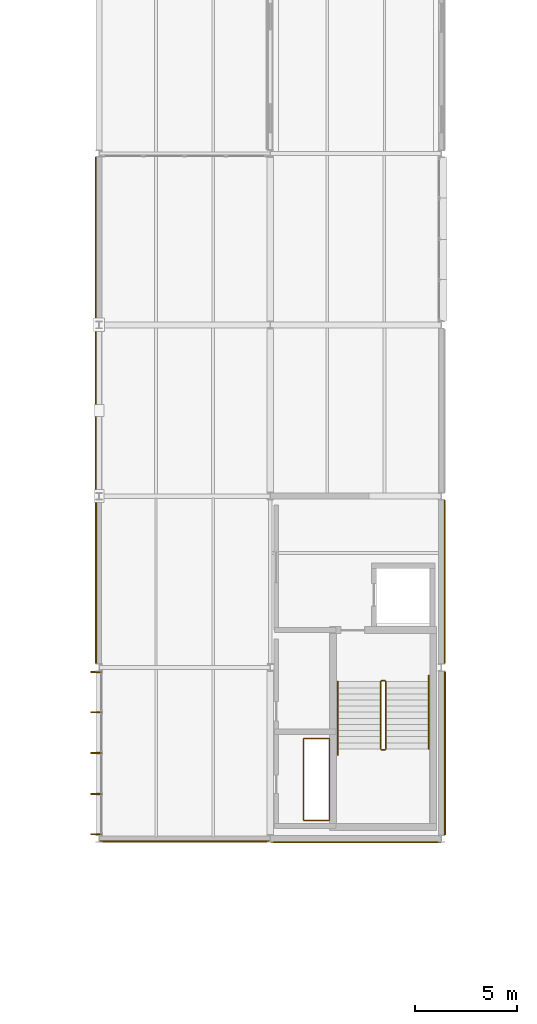
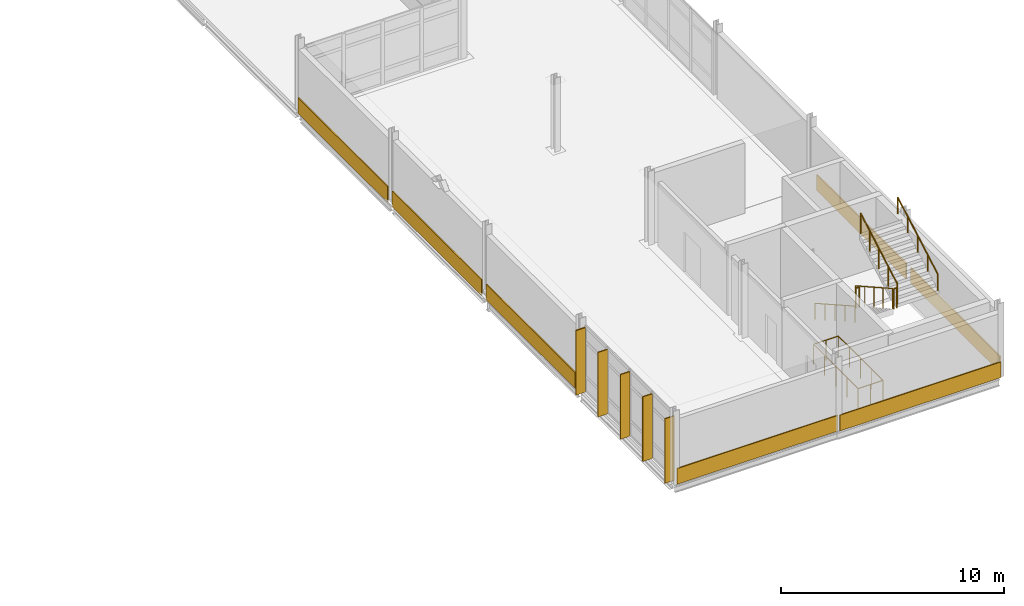
# One storey, part 99 of 103: 7 coverings, 7 railings, 5 shading devices.
"""IFC4 building model written with IfcOpenShell, lengths in metres."""

from ifc_helpers import new_model, si_unit, direction, frame, origin, origin_2d, place, context, subcontext, project, spatial, rectangle, circle, extrude, material, layer, layer_set, type_object, element, save


model = new_model("IFC4")

# Units and contexts
model_context = context("Model", 3, precision=1e-05, world=origin(), true_north=direction((0.0, 1.0)))
body_context = subcontext(model_context, "Body", "Model", "MODEL_VIEW")
ifc_project = project(units=[si_unit("LENGTHUNIT", "METRE"), si_unit("AREAUNIT", "SQUARE_METRE"), si_unit("VOLUMEUNIT", "CUBIC_METRE"), si_unit("PLANEANGLEUNIT", "RADIAN"), si_unit("MASSUNIT", "GRAM", prefix="KILO")], contexts=[model_context])

# Site, building, storey
site_placement = place(None, origin())
site = spatial("IfcSite", under=ifc_project, at=site_placement, CompositionType="ELEMENT")
building_placement = place(site_placement, origin())
building = spatial("IfcBuilding", under=site, at=building_placement, Name="Mersafa Astral City Hall", CompositionType="ELEMENT")
storey_placement = place(building_placement, frame((0.0, 0.0, 18.0)))
storey = spatial("IfcBuildingStorey", under=building, at=storey_placement, Name="L04", CompositionType="ELEMENT", Elevation=18.0)

# Coverings
ifc_material_1 = material(Name="Cairo Mokattam buff limestone cladding", Category="masonry")
ifc_layer = layer(ifc_material_1, 0.06005859375, Name="Cairo Mokattam buff limestone cladding")
ifc_layer_set = layer_set([ifc_layer], Name="Cairo Mokattam buff limestone cladding — ENV-COV-LIMESTONE-60")
covering_type = type_object("IfcCoveringType", Name="ENV-COV-LIMESTONE-60", PredefinedType="CLADDING", material=ifc_layer_set)
covering_placement = place(storey_placement, frame((159.43798828125, 79.81494140625, 0.0), z_axis=(0.0, 0.0, 1.0), x_axis=(0.0, -1.0, 0.0)))
element("IfcCovering", 1, at=covering_placement, inside=storey, type_object=covering_type, Name="L04 Cairo buff limestone rainscreen cladding 269", PredefinedType="CLADDING", context=body_context, shape_type="SweptSolid", body=[
    extrude(rectangle(XDim=8.01806640625, YDim=0.06005859375, at=origin_2d()), origin(), (0.0, 0.0, 1.0), 0.860107421875),
])
for number, where, z_axis, x_axis, name in (
    (2, (159.445556640625, 71.39501953125, 0.0), (0.0, 0.0, 1.0), (0.0, -1.0, 0.0), "L04 Cairo buff limestone rainscreen cladding 270"),
    (3, (159.452880859375, 63.0048828125, 0.0), (0.0, 0.0, 1.0), (0.0, -1.0, 0.0), "L04 Cairo buff limestone rainscreen cladding 271"),
):
    element("IfcCovering", number, at=place(storey_placement, frame(where, z_axis=z_axis, x_axis=x_axis)), inside=storey, type_object=covering_type, Name=name, PredefinedType="CLADDING", context=body_context, shape_type="SweptSolid", body=[
        extrude(rectangle(XDim=7.998046875, YDim=0.06005859375, at=origin_2d()), origin(), (0.0, 0.0, 1.0), 0.860107421875),
    ])
for number, where, z_axis, x_axis, name in (
    (4, (163.800048828125, 50.260498046875, 0.0), (0.0, 0.0, 1.0), (1.0, 0.0, 0.0), "L04 Cairo buff limestone rainscreen cladding 272"),
    (5, (172.199951171875, 50.222900390625, 0.0), (0.0, 0.0, 1.0), (1.0, 0.0, 0.0), "L04 Cairo buff limestone rainscreen cladding 273"),
):
    element("IfcCovering", number, at=place(storey_placement, frame(where, z_axis=z_axis, x_axis=x_axis)), inside=storey, type_object=covering_type, Name=name, PredefinedType="CLADDING", context=body_context, shape_type="SweptSolid", body=[
        extrude(rectangle(XDim=8.323974609375, YDim=0.06005859375, at=origin_2d()), origin(), (0.0, 0.0, 1.0), 0.860107421875),
    ])
for number, where, z_axis, x_axis, name in (
    (6, (176.569580078125, 54.594970703125, 0.0), (0.0, 0.0, 1.0), (0.0, 1.0, 0.0), "L04 Cairo buff limestone rainscreen cladding 274"),
    (7, (176.56201171875, 63.0048828125, 0.0), (0.0, 0.0, 1.0), (0.0, 1.0, 0.0), "L04 Cairo buff limestone rainscreen cladding 275"),
):
    element("IfcCovering", number, at=place(storey_placement, frame(where, z_axis=z_axis, x_axis=x_axis)), inside=storey, type_object=covering_type, Name=name, PredefinedType="CLADDING", context=body_context, shape_type="SweptSolid", body=[
        extrude(rectangle(XDim=7.998046875, YDim=0.06005859375, at=origin_2d()), origin(), (0.0, 0.0, 1.0), 0.860107421875),
    ])

# Shading devices
ifc_material_2 = material(Name="Anodised bronze aluminium solar fin", Category="aluminium")
shading_device_type = type_object("IfcShadingDeviceType", Name="ENV-SHD-FIN-500A", PredefinedType="USERDEFINED", material=ifc_material_2)
for number, where, z_axis, x_axis, name in (
    (8, (159.455078125, 58.577880859375, -0.01513671875), (0.0, 0.0, 1.0), (0.0, -1.0, 0.0), "L04 Vertical bronze solar fin 1210"),
    (9, (159.455078125, 56.6015625, -0.01513671875), (0.0, 0.0, 1.0), (0.0, -1.0, 0.0), "L04 Vertical bronze solar fin 1211"),
    (10, (159.455078125, 54.594970703125, -0.01513671875), (0.0, 0.0, 1.0), (0.0, -1.0, 0.0), "L04 Vertical bronze solar fin 1212"),
    (11, (159.455078125, 52.58837890625, -0.01513671875), (0.0, 0.0, 1.0), (0.0, -1.0, 0.0), "L04 Vertical bronze solar fin 1213"),
    (12, (159.455078125, 50.612060546875, -0.01513671875), (0.0, 0.0, 1.0), (0.0, -1.0, 0.0), "L04 Vertical bronze solar fin 1214"),
):
    element("IfcShadingDevice", number, at=place(storey_placement, frame(where, z_axis=z_axis, x_axis=x_axis)), inside=storey, type_object=shading_device_type, Name=name, ObjectType="FIN", PredefinedType="USERDEFINED", context=body_context, shape_type="SweptSolid", body=[
        extrude(rectangle(XDim=0.06005859375, YDim=0.5, at=origin_2d()), origin(), (0.0, 0.0, 1.0), 3.531982421875),
    ])

# Railings
ifc_material_3 = material(Name="Painted architectural steel stair guard balustrade", Category="steel")
railing_type_1 = type_object("IfcRailingType", Name="GUARD-RAIL", PredefinedType="BALUSTRADE", material=ifc_material_3)
railing_1_placement = place(storey_placement, frame((173.409912109375, 58.10009765625, 0.168701171875)))
element("IfcRailing", 13, at=railing_1_placement, inside=storey, type_object=railing_type_1, Name="L04 ST4 stair guard 1", PredefinedType="BALUSTRADE", context=body_context, shape_type="SweptSolid", body=[
    extrude(circle(Radius=0.02392578125, at=origin_2d()), frame((0.0, 0.0, 1.09619140625), z_axis=(0.0, -0.871584147158, 0.490245932592), x_axis=(1.0, 0.0, 0.0)), (0.0, 0.0, 1.0), 3.786376953125),
    extrude(circle(Radius=0.02099609375, at=origin_2d()), origin(), (0.0, 0.0, 1.0), 1.072021484375),
    extrude(circle(Radius=0.02099609375, at=origin_2d()), frame((0.0, -0.824951171875, 0.464111328125)), (0.0, 0.0, 1.0), 1.072021484375),
    extrude(circle(Radius=0.02099609375, at=origin_2d()), frame((0.0, -1.64990234375, 0.92822265625)), (0.0, 0.0, 1.0), 1.072021484375),
    extrude(circle(Radius=0.02099609375, at=origin_2d()), frame((0.0, -2.47509765625, 1.39208984375)), (0.0, 0.0, 1.0), 1.072021484375),
    extrude(circle(Radius=0.02099609375, at=origin_2d()), frame((0.0, -3.300048828125, 1.856201171875)), (0.0, 0.0, 1.0), 1.072021484375),
])
railing_2_placement = place(storey_placement, frame((173.4599609375, 54.75, 2.02490234375)))
element("IfcRailing", 14, at=railing_2_placement, inside=storey, type_object=railing_type_1, Name="L04 ST4 stair guard 2", PredefinedType="BALUSTRADE", context=body_context, shape_type="SweptSolid", body=[
    extrude(circle(Radius=0.02392578125, at=origin_2d()), frame((0.0, 0.0, 1.09619140625), z_axis=(1.0, 0.0, 0.0), x_axis=(0.0, 1.0, 0.0)), (0.0, 0.0, 1.0), 0.16015625),
    extrude(circle(Radius=0.02099609375, at=origin_2d()), origin(), (0.0, 0.0, 1.0), 1.072021484375),
    extrude(circle(Radius=0.02099609375, at=origin_2d()), frame((0.16015625, 0.0, 0.0)), (0.0, 0.0, 1.0), 1.072021484375),
])
railing_3_placement = place(storey_placement, frame((173.669921875, 54.800048828125, 2.19384765625)))
element("IfcRailing", 15, at=railing_3_placement, inside=storey, type_object=railing_type_1, Name="L04 ST4 stair guard 3", PredefinedType="BALUSTRADE", context=body_context, shape_type="SweptSolid", body=[
    extrude(circle(Radius=0.02392578125, at=origin_2d()), frame((0.0, 0.0, 1.09619140625), z_axis=(0.0, 0.871584147158, 0.490245932592), x_axis=(-1.0, 0.0, 0.0)), (0.0, 0.0, 1.0), 3.786376953125),
    extrude(circle(Radius=0.02099609375, at=origin_2d()), origin(), (0.0, 0.0, 1.0), 1.072021484375),
    extrude(circle(Radius=0.02099609375, at=origin_2d()), frame((0.0, 0.824951171875, 0.464111328125)), (0.0, 0.0, 1.0), 1.072021484375),
    extrude(circle(Radius=0.02099609375, at=origin_2d()), frame((0.0, 1.64990234375, 0.92822265625)), (0.0, 0.0, 1.0), 1.072021484375),
    extrude(circle(Radius=0.02099609375, at=origin_2d()), frame((0.0, 2.47509765625, 1.39208984375)), (0.0, 0.0, 1.0), 1.072021484375),
    extrude(circle(Radius=0.02099609375, at=origin_2d()), frame((0.0, 3.300048828125, 1.856201171875)), (0.0, 0.0, 1.0), 1.072021484375),
])
railing_4_placement = place(storey_placement, frame((173.4599609375, 58.14990234375, 0.0)))
element("IfcRailing", 16, at=railing_4_placement, inside=storey, type_object=railing_type_1, Name="L04 ST4 stair guard 4", PredefinedType="BALUSTRADE", context=body_context, shape_type="SweptSolid", body=[
    extrude(circle(Radius=0.02392578125, at=origin_2d()), frame((0.0, 0.0, 1.09619140625), z_axis=(1.0, 0.0, 0.0), x_axis=(0.0, 1.0, 0.0)), (0.0, 0.0, 1.0), 0.16015625),
    extrude(circle(Radius=0.02099609375, at=origin_2d()), origin(), (0.0, 0.0, 1.0), 1.072021484375),
    extrude(circle(Radius=0.02099609375, at=origin_2d()), frame((0.16015625, 0.0, 0.0)), (0.0, 0.0, 1.0), 1.072021484375),
])
railing_5_placement = place(storey_placement, frame((169.6201171875, 51.300048828125, 0.0)))
element("IfcRailing", 17, at=railing_5_placement, inside=storey, type_object=railing_type_1, Name="L04 K4 MEP Riser Shaft Guard", PredefinedType="BALUSTRADE", context=body_context, shape_type="SweptSolid", body=[
    extrude(circle(Radius=0.02392578125, at=origin_2d()), frame((0.0, 0.0, 1.09619140625), z_axis=(1.0, 0.0, 0.0), x_axis=(0.0, 1.0, 0.0)), (0.0, 0.0, 1.0), 1.27978515625),
    extrude(circle(Radius=0.02392578125, at=origin_2d()), frame((1.27978515625, 0.0, 1.09619140625), z_axis=(0.0, 1.0, 0.0), x_axis=(-1.0, 0.0, 0.0)), (0.0, 0.0, 1.0), 4.0),
    extrude(circle(Radius=0.02392578125, at=origin_2d()), frame((1.27978515625, 4.0, 1.09619140625), z_axis=(-1.0, 0.0, 0.0), x_axis=(0.0, -1.0, 0.0)), (0.0, 0.0, 1.0), 1.27978515625),
    extrude(circle(Radius=0.02392578125, at=origin_2d()), frame((0.0, 4.0, 1.09619140625), z_axis=(0.0, -1.0, 0.0), x_axis=(1.0, 0.0, 0.0)), (0.0, 0.0, 1.0), 4.0),
    extrude(circle(Radius=0.02099609375, at=origin_2d()), origin(), (0.0, 0.0, 1.0), 1.072021484375),
    extrude(circle(Radius=0.02099609375, at=origin_2d()), frame((0.639892578125, 0.0, 0.0)), (0.0, 0.0, 1.0), 1.072021484375),
    extrude(circle(Radius=0.02099609375, at=origin_2d()), frame((1.27978515625, 0.0, 0.0)), (0.0, 0.0, 1.0), 1.072021484375),
    extrude(circle(Radius=0.02099609375, at=origin_2d()), frame((1.27978515625, 1.0, 0.0)), (0.0, 0.0, 1.0), 1.072021484375),
    extrude(circle(Radius=0.02099609375, at=origin_2d()), frame((1.27978515625, 2.0, 0.0)), (0.0, 0.0, 1.0), 1.072021484375),
    extrude(circle(Radius=0.02099609375, at=origin_2d()), frame((1.27978515625, 3.0, 0.0)), (0.0, 0.0, 1.0), 1.072021484375),
    extrude(circle(Radius=0.02099609375, at=origin_2d()), frame((1.27978515625, 4.0, 0.0)), (0.0, 0.0, 1.0), 1.072021484375),
    extrude(circle(Radius=0.02099609375, at=origin_2d()), frame((0.639892578125, 4.0, 0.0)), (0.0, 0.0, 1.0), 1.072021484375),
    extrude(circle(Radius=0.02099609375, at=origin_2d()), frame((0.0, 4.0, 0.0)), (0.0, 0.0, 1.0), 1.072021484375),
    extrude(circle(Radius=0.02099609375, at=origin_2d()), frame((0.0, 3.0, 0.0)), (0.0, 0.0, 1.0), 1.072021484375),
    extrude(circle(Radius=0.02099609375, at=origin_2d()), frame((0.0, 2.0, 0.0)), (0.0, 0.0, 1.0), 1.072021484375),
    extrude(circle(Radius=0.02099609375, at=origin_2d()), frame((0.0, 1.0, 0.0)), (0.0, 0.0, 1.0), 1.072021484375),
])
ifc_material_4 = material(Name="Brushed stainless steel tubular handrail", Category="steel")
railing_type_2 = type_object("IfcRailingType", Name="HANDRAIL", PredefinedType="HANDRAIL", material=ifc_material_4)
railing_6_placement = place(storey_placement, frame((171.31005859375, 58.10009765625, 0.168701171875)))
element("IfcRailing", 18, at=railing_6_placement, inside=storey, type_object=railing_type_2, Name="L04 ST4 stair handrail 1", PredefinedType="HANDRAIL", context=body_context, shape_type="SweptSolid", body=[
    extrude(circle(Radius=0.02392578125, at=origin_2d()), frame((0.0, 0.0, 0.8759765625), z_axis=(0.0, -0.871262930089, 0.49081657129), x_axis=(1.0, 0.0, 0.0)), (0.0, 0.0, 1.0), 4.132080078125),
    extrude(circle(Radius=0.02099609375, at=origin_2d()), origin(), (0.0, 0.0, 1.0), 0.851806640625),
    extrude(circle(Radius=0.02099609375, at=origin_2d()), frame((0.0, -0.89990234375, 0.507080078125)), (0.0, 0.0, 1.0), 0.851806640625),
    extrude(circle(Radius=0.02099609375, at=origin_2d()), frame((0.0, -1.800048828125, 1.01416015625)), (0.0, 0.0, 1.0), 0.851806640625),
    extrude(circle(Radius=0.02099609375, at=origin_2d()), frame((0.0, -2.7001953125, 1.52099609375)), (0.0, 0.0, 1.0), 0.851806640625),
    extrude(circle(Radius=0.02099609375, at=origin_2d()), frame((0.0, -3.60009765625, 2.028076171875)), (0.0, 0.0, 1.0), 0.851806640625),
])
railing_7_placement = place(storey_placement, frame((175.77001953125, 54.800048828125, 2.19384765625)))
element("IfcRailing", 19, at=railing_7_placement, inside=storey, type_object=railing_type_2, Name="L04 ST4 stair handrail 2", PredefinedType="HANDRAIL", context=body_context, shape_type="SweptSolid", body=[
    extrude(circle(Radius=0.02392578125, at=origin_2d()), frame((0.0, 0.0, 0.8759765625), z_axis=(0.0, 0.871273963605, 0.490796984856), x_axis=(-1.0, 0.0, 0.0)), (0.0, 0.0, 1.0), 4.131591796875),
    extrude(circle(Radius=0.02099609375, at=origin_2d()), origin(), (0.0, 0.0, 1.0), 0.851806640625),
    extrude(circle(Radius=0.02099609375, at=origin_2d()), frame((0.0, 0.89990234375, 0.5068359375)), (0.0, 0.0, 1.0), 0.851806640625),
    extrude(circle(Radius=0.02099609375, at=origin_2d()), frame((0.0, 1.7998046875, 1.013916015625)), (0.0, 0.0, 1.0), 0.851806640625),
    extrude(circle(Radius=0.02099609375, at=origin_2d()), frame((0.0, 2.699951171875, 1.52099609375)), (0.0, 0.0, 1.0), 0.851806640625),
    extrude(circle(Radius=0.02099609375, at=origin_2d()), frame((0.0, 3.599853515625, 2.02783203125)), (0.0, 0.0, 1.0), 0.851806640625),
])

save(model, "model.ifc")
